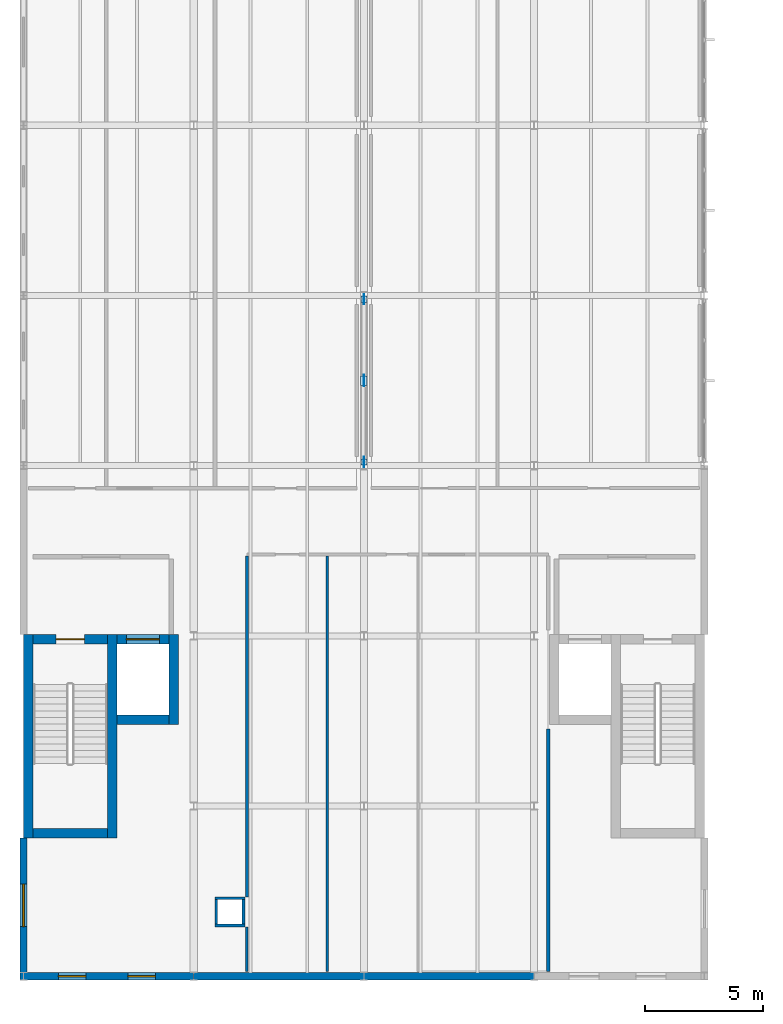
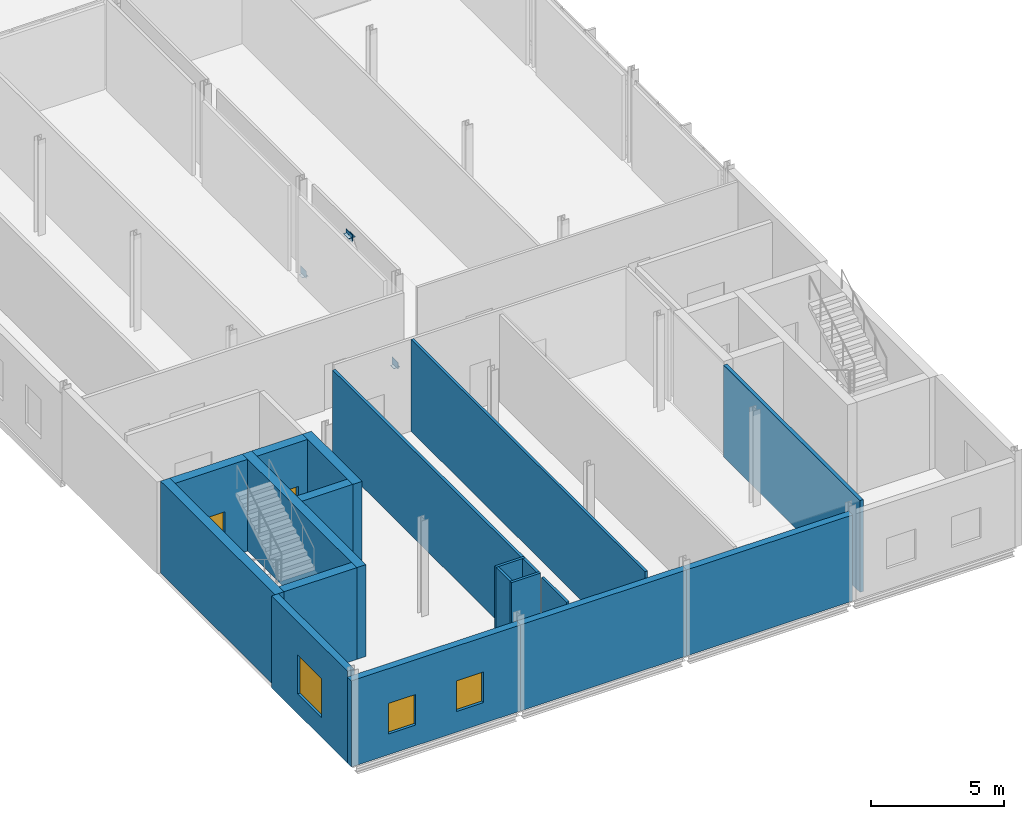
# One storey, part 13 of 21: 19 walls, 6 plates, 3 windows, 2 doors, 5 openings.
"""IFC4 building model written with IfcOpenShell, lengths in metres."""

from ifc_helpers import new_model, si_unit, direction, frame, frame_2d, origin, origin_2d, place, context, subcontext, project, spatial, rectangle, extrude, material, layer, layer_set, type_object, element, fill, save


model = new_model("IFC4")

# Units and contexts
model_context = context("Model", 3, precision=1e-05, world=origin(), true_north=direction((0.0, 1.0)))
body_context = subcontext(model_context, "Body", "Model", "MODEL_VIEW")
ifc_project = project(units=[si_unit("LENGTHUNIT", "METRE"), si_unit("AREAUNIT", "SQUARE_METRE"), si_unit("VOLUMEUNIT", "CUBIC_METRE"), si_unit("PLANEANGLEUNIT", "RADIAN"), si_unit("MASSUNIT", "GRAM", prefix="KILO")], contexts=[model_context])

# Site, building, storey
site_placement = place(None, origin())
site = spatial("IfcSite", under=ifc_project, at=site_placement, CompositionType="ELEMENT")
building_placement = place(site_placement, origin())
building = spatial("IfcBuilding", under=site, at=building_placement, Name="Zarrinpeak Specialist Clinic", CompositionType="ELEMENT")
storey_placement = place(building_placement, frame((0.0, 0.0, 22.800048828125)))
storey = spatial("IfcBuildingStorey", under=building, at=storey_placement, Name="L05", CompositionType="ELEMENT", Elevation=22.800048828125)

# Plates
ifc_material_1 = material(Name="Steel S355", Category="steel")
ifc_layer_1 = layer(ifc_material_1, 0.01611328125)
ifc_layer_set_1 = layer_set([ifc_layer_1], Name="Steel S355")
plate_type_1 = type_object("IfcPlateType", Name="PL-CAP219", PredefinedType="SHEET", material=ifc_layer_set_1)
for number, where, z_axis, x_axis, name in (
    (1, (14.39990234375, 21.760009765625, 0.0009765625), (0.0, 0.0, 1.0), (1.0, 0.0, 0.0), "V1 L05 Hollow Brace Foot Cap Plate A"),
    (2, (14.39990234375, 28.639892578125, 0.0009765625), (0.0, 0.0, 1.0), (1.0, 0.0, 0.0), "V1 L05 Hollow Brace Foot Cap Plate B"),
):
    element("IfcPlate", number, at=place(storey_placement, frame(where, z_axis=z_axis, x_axis=x_axis)), inside=storey, type_object=plate_type_1, Name=name, PredefinedType="SHEET", context=body_context, shape_type="SweptSolid", body=[
        extrude(rectangle(XDim=0.260009765625, YDim=0.260009765625, at=origin_2d()), origin(), (0.0, 0.0, 1.0), 0.01611328125),
    ])
ifc_layer_2 = layer(ifc_material_1, 0.02001953125)
ifc_layer_set_2 = layer_set([ifc_layer_2], Name="Steel S355")
plate_type_2 = type_object("IfcPlateType", Name="PL-GN01", PredefinedType="SHEET", material=ifc_layer_set_2)
plate_1_placement = place(storey_placement, frame((14.39990234375, 25.199951171875, 3.7548828125), z_axis=(0.0, 0.0, 1.0), x_axis=(1.0, 0.0, 0.0)))
element("IfcPlate", 3, at=plate_1_placement, inside=storey, type_object=plate_type_2, Name="V1 L05 Chevron Gusset Node Plate GN-V1-L05", PredefinedType="SHEET", context=body_context, shape_type="SweptSolid", body=[
    extrude(rectangle(XDim=0.02001953125, YDim=0.47998046875, at=origin_2d()), origin(), (0.0, 0.0, 1.0), 0.340087890625),
])
ifc_layer_3 = layer(ifc_material_1, 0.01611328125)
ifc_layer_set_3 = layer_set([ifc_layer_3], Name="Steel S355")
plate_type_3 = type_object("IfcPlateType", Name="PL-GN02", PredefinedType="SHEET", material=ifc_layer_set_3)
plate_2_placement = place(storey_placement, frame((14.39990234375, 25.199951171875, 3.9228515625), z_axis=(0.0, 0.0, 1.0), x_axis=(1.0, 0.0, 0.0)))
element("IfcPlate", 4, at=plate_2_placement, inside=storey, type_object=plate_type_3, Name="V1 L05 Chevron Apex Seal Plate GNCAP-V1-L05", PredefinedType="SHEET", context=body_context, shape_type="SweptSolid", body=[
    extrude(rectangle(XDim=0.280029296875, YDim=0.39990234375, at=origin_2d()), origin(), (0.0, 0.0, 1.0), 0.01611328125),
])
ifc_layer_4 = layer(ifc_material_1, 0.01806640625)
ifc_layer_set_4 = layer_set([ifc_layer_4], Name="Steel S355")
plate_type_4 = type_object("IfcPlateType", Name="PL-GN03", PredefinedType="SHEET", material=ifc_layer_set_4)
for number, where, z_axis, x_axis, name in (
    (5, (14.39990234375, 21.760009765625, 0.0048828125), (0.0, 0.0, 1.0), (1.0, 0.0, 0.0), "V1 L05 Brace Foot Gusset Plate GNF-V1-L05-A"),
    (6, (14.39990234375, 28.639892578125, 0.0048828125), (0.0, 0.0, 1.0), (1.0, 0.0, 0.0), "V1 L05 Brace Foot Gusset Plate GNF-V1-L05-B"),
):
    element("IfcPlate", number, at=place(storey_placement, frame(where, z_axis=z_axis, x_axis=x_axis)), inside=storey, type_object=plate_type_4, Name=name, PredefinedType="SHEET", context=body_context, shape_type="SweptSolid", body=[
        extrude(rectangle(XDim=0.01806640625, YDim=0.43994140625, at=origin_2d()), origin(), (0.0, 0.0, 1.0), 0.31005859375),
    ])

# Wall
ifc_material_2 = material(Name="Concrete C40/50", Category="concrete")
ifc_layer_5 = layer(ifc_material_2, 0.39990234375)
ifc_layer_set_5 = layer_set([ifc_layer_5], Name="Concrete C40/50")
wall_type_1 = type_object("IfcWallType", Name="WL-CR400", PredefinedType="SHEAR", material=ifc_layer_set_5)
wall_1_placement = place(storey_placement, frame((0.39990234375, 6.050048828125, 0.0), z_axis=(0.0, 0.0, 1.0), x_axis=(1.0, 0.0, 0.0)))
element("IfcWall", 7, at=wall_1_placement, inside=storey, type_object=wall_type_1, Name="L05 Core C01 Shear Wall STS", PredefinedType="SHEAR", context=body_context, shape_type="SweptSolid", body=[
    extrude(rectangle(XDim=3.150146484375, YDim=0.39990234375, at=frame_2d((1.5751953125, 0.0))), origin(), (0.0, 0.0, 1.0), 4.21484375),
])

# Wall, opening, door
wall_2_placement = place(storey_placement, frame((0.39990234375, 14.25, 0.0), z_axis=(0.0, 0.0, 1.0), x_axis=(1.0, 0.0, 0.0)))
wall_2 = element("IfcWall", 8, at=wall_2_placement, inside=storey, type_object=wall_type_1, Name="L05 Core C01 Shear Wall STN", PredefinedType="SHEAR", context=body_context, shape_type="SweptSolid", body=[
    extrude(rectangle(XDim=3.150146484375, YDim=0.39990234375, at=frame_2d((1.5751953125, 0.0))), origin(), (0.0, 0.0, 1.0), 4.21484375),
])
opening_1_placement = place(wall_2_placement, frame((0.97509765625, 0.0, 0.0)))
opening_1 = element("IfcOpeningElement", 9, at=opening_1_placement, cuts=wall_2, Name="Opening D-S01", PredefinedType="OPENING", context=body_context, shape_type="SweptSolid", body=[
    extrude(rectangle(XDim=1.199951171875, YDim=2.14990234375, at=frame_2d((0.60009765625, 1.074951171875))), frame((0.0, 0.2099609375, 0.0), z_axis=(0.0, -1.0, 0.0), x_axis=(1.0, 0.0, 0.0)), (0.0, 0.0, 1.0), 0.419921875),
])
ifc_material_3 = material(Name="Powder-Coated Galvanised Steel", Category="steel")
door_type_1 = type_object("IfcDoorType", Name="DR-FD120", OperationType="SINGLE_SWING_LEFT", PredefinedType="DOOR", material=ifc_material_3)
door_1_placement = place(opening_1_placement, frame((1.199951171875, 0.0, 0.0), z_axis=(0.0, 0.0, 1.0), x_axis=(-1.0, 0.0, 0.0)))
door_1 = element("IfcDoor", 10, at=door_1_placement, inside=storey, type_object=door_type_1, Name="L05 Protected Stair ST-01 Fire Door", OperationType="SINGLE_SWING_LEFT", OverallHeight=2.14990234375, OverallWidth=1.199951171875, PredefinedType="DOOR", context=body_context, shape_type="SweptSolid", body=[
    extrude(rectangle(XDim=1.199951171875, YDim=2.14990234375, at=frame_2d((0.60009765625, 1.074951171875))), frame((0.0, 0.02490234375, 0.0), z_axis=(0.0, -1.0, 0.0), x_axis=(1.0, 0.0, 0.0)), (0.0, 0.0, 1.0), 0.050048828125),
])
fill(opening_1, door_1)

# Walls
for number, where, z_axis, x_axis, name in (
    (11, (0.199951171875, 5.85009765625, 0.0), (0.0, 0.0, 1.0), (0.0, 1.0, 0.0), "L05 Core C01 Shear Wall STW"),
    (12, (3.75, 5.85009765625, 0.0), (0.0, 0.0, 1.0), (0.0, 1.0, 0.0), "L05 Core C01 Shear Wall STE"),
):
    element("IfcWall", number, at=place(storey_placement, frame(where, z_axis=z_axis, x_axis=x_axis)), inside=storey, type_object=wall_type_1, Name=name, PredefinedType="SHEAR", context=body_context, shape_type="SweptSolid", body=[
        extrude(rectangle(XDim=8.599853515625, YDim=0.39990234375, at=frame_2d((4.2998046875, 0.0))), origin(), (0.0, 0.0, 1.0), 4.21484375),
    ])
wall_3_placement = place(storey_placement, frame((3.949951171875, 10.85009765625, 0.0), z_axis=(0.0, 0.0, 1.0), x_axis=(1.0, 0.0, 0.0)))
element("IfcWall", 13, at=wall_3_placement, inside=storey, type_object=wall_type_1, Name="L05 Lift LF-FF1 Shaft Wall LFS", PredefinedType="SHEAR", context=body_context, shape_type="SweptSolid", body=[
    extrude(rectangle(XDim=2.199951171875, YDim=0.39990234375, at=frame_2d((1.10009765625, 0.0))), origin(), (0.0, 0.0, 1.0), 4.21484375),
])

# Wall, opening, door
wall_4_placement = place(storey_placement, frame((3.949951171875, 14.25, 0.0), z_axis=(0.0, 0.0, 1.0), x_axis=(1.0, 0.0, 0.0)))
wall_4 = element("IfcWall", 14, at=wall_4_placement, inside=storey, type_object=wall_type_1, Name="L05 Lift LF-FF1 Shaft Wall LFN", PredefinedType="SHEAR", context=body_context, shape_type="SweptSolid", body=[
    extrude(rectangle(XDim=2.199951171875, YDim=0.39990234375, at=frame_2d((1.10009765625, 0.0))), origin(), (0.0, 0.0, 1.0), 4.21484375),
])
opening_2_placement = place(wall_4_placement, frame((0.39990234375, 0.0, 0.0)))
opening_2 = element("IfcOpeningElement", 15, at=opening_2_placement, cuts=wall_4, Name="Opening LD-01", PredefinedType="OPENING", context=body_context, shape_type="SweptSolid", body=[
    extrude(rectangle(XDim=1.39990234375, YDim=2.199951171875, at=frame_2d((0.699951171875, 1.10009765625))), frame((0.0, 0.2099609375, 0.0), z_axis=(0.0, -1.0, 0.0), x_axis=(1.0, 0.0, 0.0)), (0.0, 0.0, 1.0), 0.419921875),
])
door_type_2 = type_object("IfcDoorType", Name="DR-LD140", OperationType="SLIDING_TO_LEFT", PredefinedType="DOOR", material=ifc_material_3)
door_2_placement = place(opening_2_placement, origin())
door_2 = element("IfcDoor", 16, at=door_2_placement, inside=storey, type_object=door_type_2, Name="L05 Lift LF-FF1 Sliding Landing Door", OperationType="SLIDING_TO_LEFT", OverallHeight=2.199951171875, OverallWidth=1.39990234375, PredefinedType="DOOR", context=body_context, shape_type="SweptSolid", body=[
    extrude(rectangle(XDim=1.39990234375, YDim=2.199951171875, at=frame_2d((0.699951171875, 1.10009765625))), frame((0.0, 0.02490234375, 0.0), z_axis=(0.0, -1.0, 0.0), x_axis=(1.0, 0.0, 0.0)), (0.0, 0.0, 1.0), 0.050048828125),
])
fill(opening_2, door_2)

# Wall
wall_5_placement = place(storey_placement, frame((6.35009765625, 10.64990234375, 0.0), z_axis=(0.0, 0.0, 1.0), x_axis=(0.0, 1.0, 0.0)))
element("IfcWall", 17, at=wall_5_placement, inside=storey, type_object=wall_type_1, Name="L05 Lift LF-FF1 Shaft Wall LFE", PredefinedType="SHEAR", context=body_context, shape_type="SweptSolid", body=[
    extrude(rectangle(XDim=3.800048828125, YDim=0.39990234375, at=frame_2d((1.89990234375, 0.0))), origin(), (0.0, 0.0, 1.0), 4.21484375),
])

# Wall, openings, windows
ifc_material_4 = material(Name="Precast concrete C40/50", Category="concrete")
ifc_layer_6 = layer(ifc_material_4, 0.300048828125)
ifc_layer_set_6 = layer_set([ifc_layer_6], Name="Precast concrete C40/50")
wall_type_2 = type_object("IfcWallType", Name="WL-EW300", PredefinedType="STANDARD", material=ifc_layer_set_6)
wall_6_placement = place(storey_placement, frame((-0.14990234375, 0.0, 0.0), z_axis=(0.0, 0.0, 1.0), x_axis=(1.0, 0.0, 0.0)))
wall_6 = element("IfcWall", 18, at=wall_6_placement, inside=storey, type_object=wall_type_2, Name="L05 V1 Exterior GRC Wall EW-L05-V1-0071", PredefinedType="STANDARD", context=body_context, shape_type="SweptSolid", body=[
    extrude(rectangle(XDim=7.349853515625, YDim=0.300048828125, at=frame_2d((3.6748046875, 0.0))), origin(), (0.0, 0.0, 1.0), 3.949951171875),
])
opening_3_placement = place(wall_6_placement, frame((1.6220703125, 0.0, 0.949951171875)))
opening_3 = element("IfcOpeningElement", 19, at=opening_3_placement, cuts=wall_6, Name="Opening WS-62", PredefinedType="OPENING", context=body_context, shape_type="SweptSolid", body=[
    extrude(rectangle(XDim=1.166015625, YDim=1.404052734375, at=frame_2d((0.5830078125, 0.7021484375))), frame((0.0, 0.16015625, 0.0), z_axis=(0.0, -1.0, 0.0), x_axis=(1.0, 0.0, 0.0)), (0.0, 0.0, 1.0), 0.320068359375),
])
opening_4_placement = place(wall_6_placement, frame((4.56201171875, 0.0, 0.949951171875)))
opening_4 = element("IfcOpeningElement", 20, at=opening_4_placement, cuts=wall_6, Name="Opening WS-62", PredefinedType="OPENING", context=body_context, shape_type="SweptSolid", body=[
    extrude(rectangle(XDim=1.166015625, YDim=1.404052734375, at=frame_2d((0.5830078125, 0.7021484375))), frame((0.0, 0.16015625, 0.0), z_axis=(0.0, -1.0, 0.0), x_axis=(1.0, 0.0, 0.0)), (0.0, 0.0, 1.0), 0.320068359375),
])
ifc_material_5 = material(Name="Thermally Broken Aluminium and Low-E Glazing", Category="aluminium")
window_type_1 = type_object("IfcWindowType", Name="WN-SP62", PartitioningType="SINGLE_PANEL", PredefinedType="WINDOW", material=ifc_material_5)
window_1_placement = place(opening_3_placement, origin())
window_1 = element("IfcWindow", 21, at=window_1_placement, inside=storey, type_object=window_type_1, Name="L05 Modular Facade Window WN-L05-0110", OverallHeight=1.404052734375, OverallWidth=1.166015625, PartitioningType="SINGLE_PANEL", PredefinedType="WINDOW", context=body_context, shape_type="SweptSolid", body=[
    extrude(rectangle(XDim=1.166015625, YDim=1.404052734375, at=frame_2d((0.5830078125, 0.7021484375))), frame((0.0, 0.030029296875, 0.0), z_axis=(0.0, -1.0, 0.0), x_axis=(1.0, 0.0, 0.0)), (0.0, 0.0, 1.0), 0.06005859375),
])
fill(opening_3, window_1)
window_2_placement = place(opening_4_placement, origin())
window_2 = element("IfcWindow", 22, at=window_2_placement, inside=storey, type_object=window_type_1, Name="L05 Modular Facade Window WN-L05-0111", OverallHeight=1.404052734375, OverallWidth=1.166015625, PartitioningType="SINGLE_PANEL", PredefinedType="WINDOW", context=body_context, shape_type="SweptSolid", body=[
    extrude(rectangle(XDim=1.166015625, YDim=1.404052734375, at=frame_2d((0.5830078125, 0.7021484375))), frame((0.0, 0.030029296875, 0.0), z_axis=(0.0, -1.0, 0.0), x_axis=(1.0, 0.0, 0.0)), (0.0, 0.0, 1.0), 0.06005859375),
])
fill(opening_4, window_2)

# Walls
wall_7_placement = place(storey_placement, frame((7.199951171875, 0.0, 0.0), z_axis=(0.0, 0.0, 1.0), x_axis=(1.0, 0.0, 0.0)))
element("IfcWall", 23, at=wall_7_placement, inside=storey, type_object=wall_type_2, Name="L05 V1 Exterior GRC Wall EW-L05-V1-0072", PredefinedType="STANDARD", context=body_context, shape_type="SweptSolid", body=[
    extrude(rectangle(XDim=7.199951171875, YDim=0.300048828125, at=frame_2d((3.60009765625, 0.0))), origin(), (0.0, 0.0, 1.0), 3.949951171875),
])
wall_8_placement = place(storey_placement, frame((14.39990234375, 0.0, 0.0), z_axis=(0.0, 0.0, 1.0), x_axis=(1.0, 0.0, 0.0)))
element("IfcWall", 24, at=wall_8_placement, inside=storey, type_object=wall_type_2, Name="L05 V1 Exterior GRC Wall EW-L05-V1-0073", PredefinedType="STANDARD", context=body_context, shape_type="SweptSolid", body=[
    extrude(rectangle(XDim=7.2001953125, YDim=0.300048828125, at=frame_2d((3.60009765625, 0.0))), origin(), (0.0, 0.0, 1.0), 3.949951171875),
])

# Wall, opening, window
wall_9_placement = place(storey_placement, frame((0.0, 5.85009765625, 0.0), z_axis=(0.0, 0.0, 1.0), x_axis=(0.0, -1.0, 0.0)))
wall_9 = element("IfcWall", 25, at=wall_9_placement, inside=storey, type_object=wall_type_2, Name="L05 V1 Exterior GRC Wall EW-L05-V1-0077", PredefinedType="STANDARD", context=body_context, shape_type="SweptSolid", body=[
    extrude(rectangle(XDim=5.7001953125, YDim=0.300048828125, at=frame_2d((2.85009765625, 0.0))), origin(), (0.0, 0.0, 1.0), 4.21484375),
])
opening_5_placement = place(wall_9_placement, frame((1.949951171875, 0.0, 0.89990234375)))
opening_5 = element("IfcOpeningElement", 26, at=opening_5_placement, cuts=wall_9, Name="Opening W-01", PredefinedType="OPENING", context=body_context, shape_type="SweptSolid", body=[
    extrude(rectangle(XDim=1.800048828125, YDim=1.800048828125, at=frame_2d((0.89990234375, 0.89990234375))), frame((0.0, 0.16015625, 0.0), z_axis=(0.0, -1.0, 0.0), x_axis=(1.0, 0.0, 0.0)), (0.0, 0.0, 1.0), 0.320068359375),
])
window_type_2 = type_object("IfcWindowType", Name="WN-CL180", PartitioningType="SINGLE_PANEL", PredefinedType="WINDOW", material=ifc_material_5)
window_3_placement = place(opening_5_placement, origin())
window_3 = element("IfcWindow", 27, at=window_3_placement, inside=storey, type_object=window_type_2, Name="L05 Modular Facade Window WN-L05-0114", OverallHeight=1.800048828125, OverallWidth=1.800048828125, PartitioningType="SINGLE_PANEL", PredefinedType="WINDOW", context=body_context, shape_type="SweptSolid", body=[
    extrude(rectangle(XDim=1.800048828125, YDim=1.800048828125, at=frame_2d((0.89990234375, 0.89990234375))), frame((0.0, 0.030029296875, 0.0), z_axis=(0.0, -1.0, 0.0), x_axis=(1.0, 0.0, 0.0)), (0.0, 0.0, 1.0), 0.06005859375),
])
fill(opening_5, window_3)

# Walls
ifc_material_6 = material(Name="Sanitary Service Chase Plumbing Wall", Category="gypsum")
ifc_layer_7 = layer(ifc_material_6, 0.110107421875)
ifc_layer_set_7 = layer_set([ifc_layer_7], Name="Sanitary Service Chase Plumbing Wall")
wall_type_3 = type_object("IfcWallType", Name="WL-IW110", PredefinedType="PARTITIONING", material=ifc_layer_set_7)
for number, where, z_axis, x_axis, name in (
    (28, (8.090087890625, 2.14501953125, 0.0), (0.0, 0.0, 1.0), (1.0, 0.0, 0.0), "L05 V1 Enclosed MEP Service Riser Wall S"),
    (29, (8.090087890625, 3.304931640625, 0.0), (0.0, 0.0, 1.0), (1.0, 0.0, 0.0), "L05 V1 Enclosed MEP Service Riser Wall N"),
):
    element("IfcWall", number, at=place(storey_placement, frame(where, z_axis=z_axis, x_axis=x_axis)), inside=storey, type_object=wall_type_3, Name=name, PredefinedType="PARTITIONING", context=body_context, shape_type="SweptSolid", body=[
        extrude(rectangle(XDim=1.27001953125, YDim=0.110107421875, at=frame_2d((0.635009765625, 0.0))), origin(), (0.0, 0.0, 1.0), 4.21484375),
    ])
for number, where, z_axis, x_axis, name in (
    (30, (8.14501953125, 2.199951171875, 0.0), (0.0, 0.0, 1.0), (0.0, 1.0, 0.0), "L05 V1 Enclosed MEP Service Riser Wall W"),
    (31, (9.304931640625, 2.199951171875, 0.0), (0.0, 0.0, 1.0), (0.0, 1.0, 0.0), "L05 V1 Enclosed MEP Service Riser Wall E"),
):
    element("IfcWall", number, at=place(storey_placement, frame(where, z_axis=z_axis, x_axis=x_axis)), inside=storey, type_object=wall_type_3, Name=name, PredefinedType="PARTITIONING", context=body_context, shape_type="SweptSolid", body=[
        extrude(rectangle(XDim=1.050048828125, YDim=0.110107421875, at=frame_2d((0.52490234375, 0.0))), origin(), (0.0, 0.0, 1.0), 4.21484375),
    ])
wall_10_placement = place(storey_placement, frame((9.449951171875, 0.199951171875, 0.0), z_axis=(0.0, 0.0, 1.0), x_axis=(0.0, 1.0, 0.0)))
element("IfcWall", 32, at=wall_10_placement, inside=storey, type_object=wall_type_3, Name="L05 Accessible Patient WC Dividing Partition", PredefinedType="PARTITIONING", context=body_context, shape_type="SweptSolid", body=[
    extrude(rectangle(XDim=1.89013671875, YDim=0.110107421875, at=frame_2d((0.945068359375, 0.0))), origin(), (0.0, 0.0, 1.0), 4.0),
])
wall_11_placement = place(storey_placement, frame((12.85009765625, 0.199951171875, 0.0), z_axis=(0.0, 0.0, 1.0), x_axis=(0.0, 1.0, 0.0)))
element("IfcWall", 33, at=wall_11_placement, inside=storey, type_object=wall_type_3, Name="L05 Accessible Patient WC Dividing Partition", PredefinedType="PARTITIONING", context=body_context, shape_type="SweptSolid", body=[
    extrude(rectangle(XDim=17.587646484375, YDim=0.110107421875, at=frame_2d((8.7939453125, 0.0))), origin(), (0.0, 0.0, 1.0), 4.21484375),
])
ifc_material_7 = material(Name="Moisture-Resistant Wet-Room Partition", Category="gypsum")
ifc_layer_8 = layer(ifc_material_7, 0.125)
ifc_layer_set_8 = layer_set([ifc_layer_8], Name="Moisture-Resistant Wet-Room Partition")
wall_type_4 = type_object("IfcWallType", Name="WL-IW125W", PredefinedType="PARTITIONING", material=ifc_layer_set_8)
wall_12_placement = place(storey_placement, frame((9.449951171875, 3.360107421875, 0.0), z_axis=(0.0, 0.0, 1.0), x_axis=(0.0, 1.0, 0.0)))
element("IfcWall", 34, at=wall_12_placement, inside=storey, type_object=wall_type_4, Name="L05 Accessible Patient WC Dividing Partition", PredefinedType="PARTITIONING", context=body_context, shape_type="SweptSolid", body=[
    extrude(rectangle(XDim=14.427490234375, YDim=0.125, at=frame_2d((7.2138671875, 0.0))), origin(), (0.0, 0.0, 1.0), 4.0),
])
ifc_material_8 = material(Name="Insulated Clinical Gypsum Stud Partition", Category="gypsum")
ifc_layer_9 = layer(ifc_material_8, 0.14990234375)
ifc_layer_set_9 = layer_set([ifc_layer_9], Name="Insulated Clinical Gypsum Stud Partition")
wall_type_5 = type_object("IfcWallType", Name="WL-IW150", PredefinedType="PARTITIONING", material=ifc_layer_set_9)
wall_13_placement = place(storey_placement, frame((22.199951171875, 0.199951171875, 0.0), z_axis=(0.0, 0.0, 1.0), x_axis=(0.0, 1.0, 0.0)))
element("IfcWall", 35, at=wall_13_placement, inside=storey, type_object=wall_type_5, Name="L05 Dermatology Phototherapy Room Dividing Partition", PredefinedType="PARTITIONING", context=body_context, shape_type="SweptSolid", body=[
    extrude(rectangle(XDim=10.25, YDim=0.14990234375, at=frame_2d((5.125, 0.0))), origin(), (0.0, 0.0, 1.0), 4.21484375),
])

save(model, "model.ifc")
